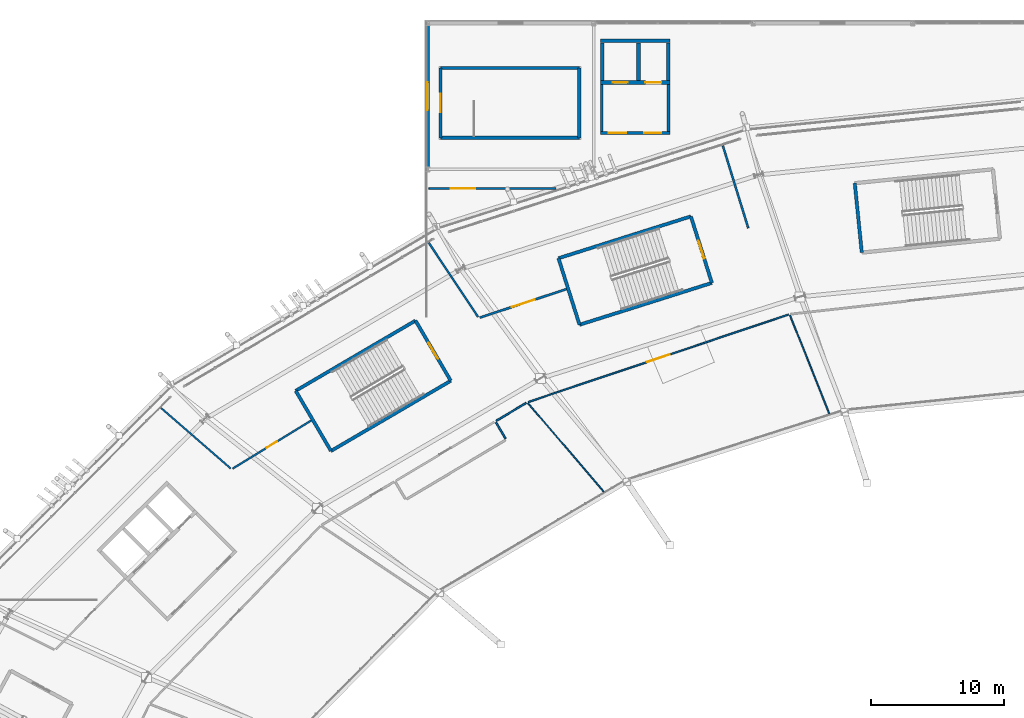
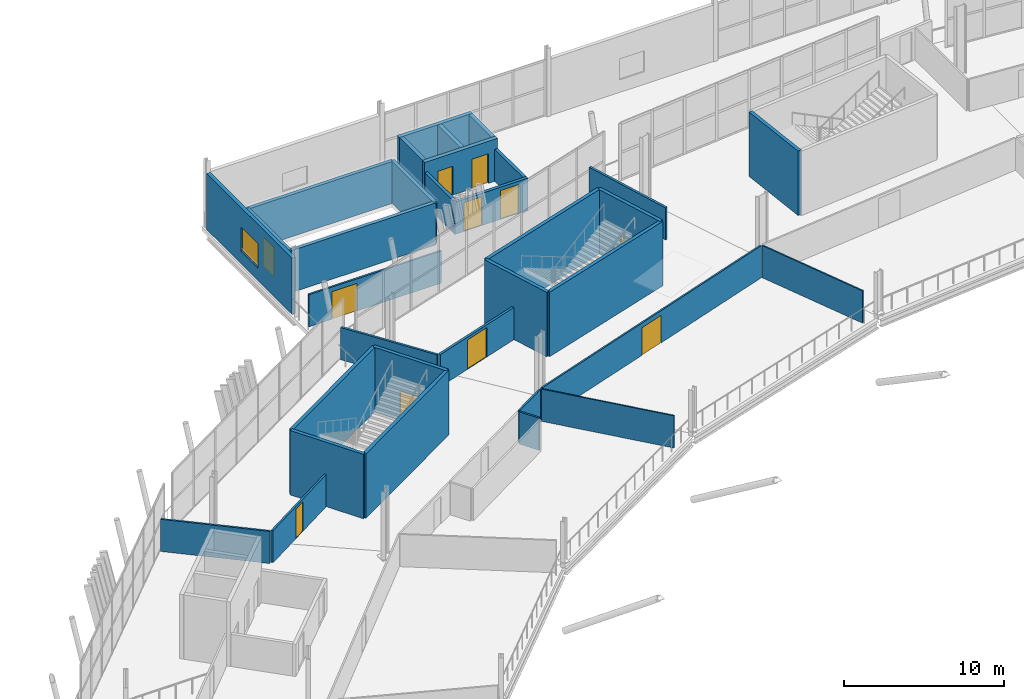
# One storey, part 125 of 168: 33 walls, 11 doors, 1 window, 12 openings.
"""IFC4 building model written with IfcOpenShell, lengths in metres."""

from ifc_helpers import new_model, si_unit, direction, frame, frame_2d, origin, place, context, subcontext, project, spatial, rectangle, extrude, material, layer, layer_set, type_object, element, fill, save


model = new_model("IFC4")

# Units and contexts
model_context = context("Model", 3, precision=1e-05, world=origin(), true_north=direction((0.0, 1.0)))
body_context = subcontext(model_context, "Body", "Model", "MODEL_VIEW")
ifc_project = project(units=[si_unit("LENGTHUNIT", "METRE"), si_unit("AREAUNIT", "SQUARE_METRE"), si_unit("VOLUMEUNIT", "CUBIC_METRE"), si_unit("PLANEANGLEUNIT", "RADIAN"), si_unit("MASSUNIT", "GRAM", prefix="KILO")], contexts=[model_context])

# Site, building, storey
site_placement = place(None, origin())
site = spatial("IfcSite", under=ifc_project, at=site_placement, CompositionType="ELEMENT")
building_placement = place(site_placement, origin())
building = spatial("IfcBuilding", under=site, at=building_placement, Name="Zlatoyarsky Gate Stadium", CompositionType="ELEMENT")
storey_placement = place(building_placement, frame((0.0, 0.0, 15.60009765625)))
storey = spatial("IfcBuildingStorey", under=building, at=storey_placement, Name="L03", CompositionType="ELEMENT", Elevation=15.60009765625)

# Wall, opening, door
ifc_material_1 = material(Name="Double-stud acoustic gypsum partition", Category="gypsum")
ifc_layer_1 = layer(ifc_material_1, 0.169921875)
ifc_layer_set_1 = layer_set([ifc_layer_1], Name="Double-stud acoustic gypsum partition")
wall_type_1 = type_object("IfcWallType", Name="ACOUSTIC BROADCAST STUDIO WALL 170", PredefinedType="PARTITIONING", material=ifc_layer_set_1)
wall_1_placement = place(storey_placement, frame((72.452392578125, 139.982666015625, 0.0), z_axis=(0.0, 0.0, 1.0), x_axis=(-0.950075440612, -0.312020283229, 0.0)))
wall_1 = element("IfcWall", 1, at=wall_1_placement, inside=storey, type_object=wall_type_1, Name="L03 interior partition PRT-L03-OCC-07-1", PredefinedType="PARTITIONING", context=body_context, shape_type="SweptSolid", body=[
    extrude(rectangle(XDim=6.86376953125, YDim=0.169921875, at=frame_2d((3.431884765625, 0.0))), origin(), (0.0, 0.0, 1.0), 2.449951171875),
])
opening_1_placement = place(wall_1_placement, frame((2.521728515625, 0.0, 0.0)))
opening_1 = element("IfcOpeningElement", 2, at=opening_1_placement, cuts=wall_1, Name="Opening D-L03-460", PredefinedType="OPENING", context=body_context, shape_type="SweptSolid", body=[
    extrude(rectangle(XDim=1.820068359375, YDim=2.239990234375, at=frame_2d((0.91015625, 1.1201171875))), frame((0.0, 0.094970703125, 0.0), z_axis=(0.0, -1.0, 0.0), x_axis=(1.0, 0.0, 0.0)), (0.0, 0.0, 1.0), 0.18994140625),
])
ifc_material_2 = material(Name="Powder-coated steel fire door", Category="steel")
door_type_1 = type_object("IfcDoorType", Name="ACOUSTIC INTERIOR DOOR 1820X2240", OperationType="NOTDEFINED", PredefinedType="DOOR", material=ifc_material_2)
door_1_placement = place(opening_1_placement, origin())
door_1 = element("IfcDoor", 3, at=door_1_placement, inside=storey, type_object=door_type_1, Name="L03 room door D-L03-460", OperationType="SINGLE_SWING_RIGHT", OverallHeight=2.239990234375, OverallWidth=1.820068359375, PredefinedType="DOOR", context=body_context, shape_type="SweptSolid", body=[
    extrude(rectangle(XDim=1.820068359375, YDim=2.239990234375, at=frame_2d((0.91015625, 1.1201171875))), frame((0.0, 0.02490234375, 0.0), z_axis=(0.0, -1.0, 0.0), x_axis=(1.0, 0.0, 0.0)), (0.0, 0.0, 1.0), 0.050048828125),
])
fill(opening_1, door_1)

ifc_material_3 = material(Name="Anodised aluminium acoustic operable wall", Category="aluminium")
ifc_layer_2 = layer(ifc_material_3, 0.114990234375)
ifc_layer_set_2 = layer_set([ifc_layer_2], Name="Anodised aluminium acoustic operable wall")
wall_type_2 = type_object("IfcWallType", Name="ACOUSTIC OPERABLE SUITE WALL 115", PredefinedType="MOVABLE", material=ifc_layer_set_2)
wall_2_placement = place(storey_placement, frame((89.16845703125, 138.06689453125, 0.0), z_axis=(0.0, 0.0, 1.0), x_axis=(-0.948002856897, -0.318261815671, 0.0)))
wall_2 = element("IfcWall", 4, at=wall_2_placement, inside=storey, type_object=wall_type_2, Name="L03 interior partition PRT-L03-ICC-07", PredefinedType="MOVABLE", context=body_context, shape_type="SweptSolid", body=[
    extrude(rectangle(XDim=20.6611328125, YDim=0.114990234375, at=frame_2d((10.33056640625, 0.0))), origin(), (0.0, 0.0, 1.0), 2.449951171875),
])
opening_2_placement = place(wall_2_placement, frame((9.420654296875, 0.0, 0.0)))
opening_2 = element("IfcOpeningElement", 5, at=opening_2_placement, cuts=wall_2, Name="Opening D-L03-408", PredefinedType="OPENING", context=body_context, shape_type="SweptSolid", body=[
    extrude(rectangle(XDim=1.820068359375, YDim=2.10009765625, at=frame_2d((0.91015625, 1.050048828125))), frame((0.0, 0.0673828125, 0.0), z_axis=(0.0, -1.0, 0.0), x_axis=(1.0, 0.0, 0.0)), (0.0, 0.0, 1.0), 0.135009765625),
])
ifc_material_4 = material(Name="Solid-core oak veneer acoustic door", Category="wood")
door_type_2 = type_object("IfcDoorType", Name="ACOUSTIC INTERIOR DOOR 1820X2100", OperationType="NOTDEFINED", PredefinedType="DOOR", material=ifc_material_4)
door_2_placement = place(opening_2_placement, origin())
door_2 = element("IfcDoor", 6, at=door_2_placement, inside=storey, type_object=door_type_2, Name="L03 room door D-L03-408", OperationType="SINGLE_SWING_LEFT", OverallHeight=2.10009765625, OverallWidth=1.820068359375, PredefinedType="DOOR", context=body_context, shape_type="SweptSolid", body=[
    extrude(rectangle(XDim=1.820068359375, YDim=2.10009765625, at=frame_2d((0.91015625, 1.050048828125))), frame((0.0, 0.02490234375, 0.0), z_axis=(0.0, -1.0, 0.0), x_axis=(1.0, 0.0, 0.0)), (0.0, 0.0, 1.0), 0.050048828125),
])
fill(opening_2, door_2)

ifc_material_5 = material(Name="Moisture-resistant masonry partition", Category="masonry")
ifc_layer_3 = layer(ifc_material_5, 0.139892578125)
ifc_layer_set_3 = layer_set([ifc_layer_3], Name="Moisture-resistant masonry partition")
wall_type_3 = type_object("IfcWallType", Name="ATHLETE CHANGING BLOCK PARTITION 140", PredefinedType="PARTITIONING", material=ifc_layer_set_3)
wall_3_placement = place(storey_placement, frame((53.23779296875, 130.091796875, 0.0), z_axis=(0.0, 0.0, 1.0), x_axis=(-0.852817711414, -0.52220872369, 0.0)))
wall_3 = element("IfcWall", 7, at=wall_3_placement, inside=storey, type_object=wall_type_3, Name="L03 interior partition PRT-L03-OCC-08-1", PredefinedType="PARTITIONING", context=body_context, shape_type="SweptSolid", body=[
    extrude(rectangle(XDim=6.935546875, YDim=0.139892578125, at=frame_2d((3.4677734375, 0.0))), origin(), (0.0, 0.0, 1.0), 2.449951171875),
])
opening_3_placement = place(wall_3_placement, frame((3.017822265625, 0.0, 0.0)))
opening_3 = element("IfcOpeningElement", 8, at=opening_3_placement, cuts=wall_3, Name="Opening D-L03-463", PredefinedType="OPENING", context=body_context, shape_type="SweptSolid", body=[
    extrude(rectangle(XDim=0.89990234375, YDim=2.239990234375, at=frame_2d((0.449951171875, 1.1201171875))), frame((0.0, 0.079833984375, 0.0), z_axis=(0.0, -1.0, 0.0), x_axis=(1.0, 0.0, 0.0)), (0.0, 0.0, 1.0), 0.159912109375),
])
door_type_3 = type_object("IfcDoorType", Name="ACOUSTIC INTERIOR DOOR 900X2240", OperationType="NOTDEFINED", PredefinedType="DOOR", material=ifc_material_2)
door_3_placement = place(opening_3_placement, origin())
door_3 = element("IfcDoor", 9, at=door_3_placement, inside=storey, type_object=door_type_3, Name="L03 room door D-L03-463", OperationType="SINGLE_SWING_LEFT", OverallHeight=2.239990234375, OverallWidth=0.89990234375, PredefinedType="DOOR", context=body_context, shape_type="SweptSolid", body=[
    extrude(rectangle(XDim=0.89990234375, YDim=2.239990234375, at=frame_2d((0.449951171875, 1.1201171875))), frame((0.0, 0.02490234375, 0.0), z_axis=(0.0, -1.0, 0.0), x_axis=(1.0, 0.0, 0.0)), (0.0, 0.0, 1.0), 0.050048828125),
])
fill(opening_3, door_3)

# Walls
ifc_material_6 = material(Name="Metal-stud gypsum partition", Category="gypsum")
ifc_layer_4 = layer(ifc_material_6, 0.14990234375)
ifc_layer_set_4 = layer_set([ifc_layer_4], Name="Metal-stud gypsum partition")
wall_type_4 = type_object("IfcWallType", Name="CONCOURSE CORRIDOR PARTITION 150", PredefinedType="PARTITIONING", material=ifc_layer_set_4)
wall_4_placement = place(storey_placement, frame((65.803466796875, 137.885498046875, 0.0), z_axis=(0.0, 0.0, 1.0), x_axis=(-0.553664009512, 0.832740154292, 0.0)))
element("IfcWall", 10, at=wall_4_placement, inside=storey, type_object=wall_type_4, Name="L03 interior partition PRT-L03-ORD-07R", PredefinedType="PARTITIONING", context=body_context, shape_type="SweptSolid", body=[
    extrude(rectangle(XDim=6.690673828125, YDim=0.14990234375, at=frame_2d((3.34521484375, 0.0))), origin(), (0.0, 0.0, 1.0), 2.449951171875),
])
ifc_material_7 = material(Name="Concrete C40/50", Category="concrete")
ifc_layer_5 = layer(ifc_material_7, 0.27001953125)
ifc_layer_set_5 = layer_set([ifc_layer_5], Name="Concrete C40/50")
wall_type_5 = type_object("IfcWallType", Name="CONCRETE LIFT SHAFT SHEAR WALL 270", PredefinedType="SHEAR", material=ifc_layer_set_5)
wall_5_placement = place(storey_placement, frame((80.25, 158.6650390625, 0.0), z_axis=(0.0, 0.0, 1.0), x_axis=(-1.0, 0.0, 0.0)))
element("IfcWall", 11, at=wall_5_placement, inside=storey, type_object=wall_type_5, Name="C5 L03 lift shaft rear wall", PredefinedType="SHEAR", context=body_context, shape_type="SweptSolid", body=[
    extrude(rectangle(XDim=5.25, YDim=0.27001953125, at=frame_2d((2.625, 0.0))), origin(), (0.0, 0.0, 1.0), 3.199951171875),
])
for number, where, z_axis, x_axis, name in (
    (12, (80.114990234375, 158.52001953125, 0.0), (0.0, 0.0, 1.0), (0.0, -1.0, 0.0), "C5 L03 lift shaft left wall"),
    (13, (75.135009765625, 158.52001953125, 0.0), (0.0, 0.0, 1.0), (0.0, -1.0, 0.0), "C5 L03 lift shaft right wall"),
    (14, (77.875, 158.52001953125, 0.0), (0.0, 0.0, 1.0), (0.0, -1.0, 0.0), "C5 L03 lift shaft divider 1"),
):
    element("IfcWall", number, at=place(storey_placement, frame(where, z_axis=z_axis, x_axis=x_axis)), inside=storey, type_object=wall_type_5, Name=name, PredefinedType="SHEAR", context=body_context, shape_type="SweptSolid", body=[
        extrude(rectangle(XDim=2.840087890625, YDim=0.27001953125, at=frame_2d((1.419921875, 0.0))), origin(), (0.0, 0.0, 1.0), 3.199951171875),
    ])

# Wall, openings, doors
wall_6_placement = place(storey_placement, frame((80.25, 155.534912109375, 0.0), z_axis=(0.0, 0.0, 1.0), x_axis=(-1.0, 0.0, 0.0)))
wall_6 = element("IfcWall", 15, at=wall_6_placement, inside=storey, type_object=wall_type_5, Name="C5 L03 lift landing front wall", PredefinedType="SHEAR", context=body_context, shape_type="SweptSolid", body=[
    extrude(rectangle(XDim=5.25, YDim=0.27001953125, at=frame_2d((2.625, 0.0))), origin(), (0.0, 0.0, 1.0), 3.199951171875),
])
opening_4_placement = place(wall_6_placement, frame((0.64990234375, 0.0, 0.0)))
opening_4 = element("IfcOpeningElement", 16, at=opening_4_placement, cuts=wall_6, Name="Opening LD-FL-05-L03", PredefinedType="OPENING", context=body_context, shape_type="SweptSolid", body=[
    extrude(rectangle(XDim=1.199951171875, YDim=2.25, at=frame_2d((0.60009765625, 1.125))), frame((0.0, 0.14501953125, 0.0), z_axis=(0.0, -1.0, 0.0), x_axis=(1.0, 0.0, 0.0)), (0.0, 0.0, 1.0), 0.2900390625),
])
opening_5_placement = place(wall_6_placement, frame((3.199951171875, 0.0, 0.0)))
opening_5 = element("IfcOpeningElement", 17, at=opening_5_placement, cuts=wall_6, Name="Opening LD-LF-09-L03", PredefinedType="OPENING", context=body_context, shape_type="SweptSolid", body=[
    extrude(rectangle(XDim=1.10009765625, YDim=2.199951171875, at=frame_2d((0.550048828125, 1.10009765625))), frame((0.0, 0.14501953125, 0.0), z_axis=(0.0, -1.0, 0.0), x_axis=(1.0, 0.0, 0.0)), (0.0, 0.0, 1.0), 0.2900390625),
])
door_type_4 = type_object("IfcDoorType", Name="STAINLESS LIFT LANDING SLIDING DOOR 1100X2200", OperationType="DOUBLE_DOOR_SLIDING", PredefinedType="DOOR", material=ifc_material_2)
door_4_placement = place(opening_5_placement, origin())
door_4 = element("IfcDoor", 18, at=door_4_placement, inside=storey, type_object=door_type_4, Name="Lift LF-09 L03 sliding landing door", OperationType="DOUBLE_DOOR_SLIDING", OverallHeight=2.199951171875, OverallWidth=1.10009765625, PredefinedType="DOOR", context=body_context, shape_type="SweptSolid", body=[
    extrude(rectangle(XDim=1.10009765625, YDim=2.199951171875, at=frame_2d((0.550048828125, 1.10009765625))), frame((0.0, 0.02490234375, 0.0), z_axis=(0.0, -1.0, 0.0), x_axis=(1.0, 0.0, 0.0)), (0.0, 0.0, 1.0), 0.050048828125),
])
fill(opening_5, door_4)
door_type_5 = type_object("IfcDoorType", Name="STAINLESS LIFT LANDING SLIDING DOOR 1200X2250", OperationType="DOUBLE_DOOR_SLIDING", PredefinedType="DOOR", material=ifc_material_2)
door_5_placement = place(opening_4_placement, origin())
door_5 = element("IfcDoor", 19, at=door_5_placement, inside=storey, type_object=door_type_5, Name="Lift FL-05 L03 sliding landing door", OperationType="DOUBLE_DOOR_SLIDING", OverallHeight=2.25, OverallWidth=1.199951171875, PredefinedType="DOOR", context=body_context, shape_type="SweptSolid", body=[
    extrude(rectangle(XDim=1.199951171875, YDim=2.25, at=frame_2d((0.60009765625, 1.125))), frame((0.0, 0.02490234375, 0.0), z_axis=(0.0, -1.0, 0.0), x_axis=(1.0, 0.0, 0.0)), (0.0, 0.0, 1.0), 0.050048828125),
])
fill(opening_4, door_5)

# Wall
ifc_layer_6 = layer(ifc_material_7, 0.25)
ifc_layer_set_6 = layer_set([ifc_layer_6], Name="Concrete C40/50")
wall_type_6 = type_object("IfcWallType", Name="CONCRETE STAIR CORE SHEAR WALL 250", PredefinedType="SHEAR", material=ifc_layer_set_6)
wall_7_placement = place(storey_placement, frame((94.15576171875, 147.95751953125, 0.0), z_axis=(0.0, 0.0, 1.0), x_axis=(0.100028593886, -0.994984562898, 0.0)))
element("IfcWall", 20, at=wall_7_placement, inside=storey, type_object=wall_type_6, Name="ST-04 L03 stair core far shear wall", PredefinedType="SHEAR", context=body_context, shape_type="SweptSolid", body=[
    extrude(rectangle(XDim=5.25, YDim=0.25, at=frame_2d((2.625, 0.0))), origin(), (0.0, 0.0, 1.0), 4.89990234375),
])

# Wall, opening, door
wall_8_placement = place(storey_placement, frame((63.74658203125, 133.083984375, 0.0), z_axis=(0.0, 0.0, 1.0), x_axis=(-0.505460490551, 0.862849750821, 0.0)))
wall_8 = element("IfcWall", 21, at=wall_8_placement, inside=storey, type_object=wall_type_6, Name="ST-05 L03 stair core entrance shear wall", PredefinedType="SHEAR", context=body_context, shape_type="SweptSolid", body=[
    extrude(rectangle(XDim=5.249755859375, YDim=0.25, at=frame_2d((2.625, 0.0))), origin(), (0.0, 0.0, 1.0), 4.89990234375),
])
opening_6_placement = place(wall_8_placement, frame((1.925048828125, 0.0, 0.0)))
opening_6 = element("IfcOpeningElement", 22, at=opening_6_placement, cuts=wall_8, Name="Opening SD-ST-05-L03", PredefinedType="OPENING", context=body_context, shape_type="SweptSolid", body=[
    extrude(rectangle(XDim=1.39990234375, YDim=2.199951171875, at=frame_2d((0.699951171875, 1.10009765625))), frame((0.0, 0.135009765625, 0.0), z_axis=(0.0, -1.0, 0.0), x_axis=(1.0, 0.0, 0.0)), (0.0, 0.0, 1.0), 0.27001953125),
])
door_type_6 = type_object("IfcDoorType", Name="STAIR CORE FIRE EXIT DOOR 1400X2200", OperationType="NOTDEFINED", PredefinedType="DOOR", material=ifc_material_2)
door_6_placement = place(opening_6_placement, frame((1.39990234375, 0.0, 0.0), z_axis=(0.0, 0.0, 1.0), x_axis=(-1.0, 0.0, 0.0)))
door_6 = element("IfcDoor", 23, at=door_6_placement, inside=storey, type_object=door_type_6, Name="ST-05 L03 stair fire door", OperationType="SINGLE_SWING_LEFT", OverallHeight=2.199951171875, OverallWidth=1.39990234375, PredefinedType="DOOR", context=body_context, shape_type="SweptSolid", body=[
    extrude(rectangle(XDim=1.39990234375, YDim=2.199951171875, at=frame_2d((0.699951171875, 1.10009765625))), frame((0.0, 0.02490234375, 0.0), z_axis=(0.0, -1.0, 0.0), x_axis=(1.0, 0.0, 0.0)), (0.0, 0.0, 1.0), 0.050048828125),
])
fill(opening_6, door_6)

# Walls
wall_9_placement = place(storey_placement, frame((61.093017578125, 137.61376953125, 0.0), z_axis=(0.0, 0.0, 1.0), x_axis=(-0.862854686184, -0.505452065513, 0.0)))
element("IfcWall", 24, at=wall_9_placement, inside=storey, type_object=wall_type_6, Name="ST-05 L03 stair core left shear wall", PredefinedType="SHEAR", context=body_context, shape_type="SweptSolid", body=[
    extrude(rectangle(XDim=10.449951171875, YDim=0.25, at=frame_2d((5.22509765625, 0.0))), origin(), (0.0, 0.0, 1.0), 4.89990234375),
])
wall_10_placement = place(storey_placement, frame((52.076171875, 132.331787109375, 0.0), z_axis=(0.0, 0.0, 1.0), x_axis=(0.505474830399, -0.862841350327, 0.0)))
element("IfcWall", 25, at=wall_10_placement, inside=storey, type_object=wall_type_6, Name="ST-05 L03 stair core far shear wall", PredefinedType="SHEAR", context=body_context, shape_type="SweptSolid", body=[
    extrude(rectangle(XDim=5.250244140625, YDim=0.25, at=frame_2d((2.625, 0.0))), origin(), (0.0, 0.0, 1.0), 4.89990234375),
])
wall_11_placement = place(storey_placement, frame((54.72998046875, 127.8017578125, 0.0), z_axis=(0.0, 0.0, 1.0), x_axis=(0.862838527648, 0.505479648657, 0.0)))
element("IfcWall", 26, at=wall_11_placement, inside=storey, type_object=wall_type_6, Name="ST-05 L03 stair core right shear wall", PredefinedType="SHEAR", context=body_context, shape_type="SweptSolid", body=[
    extrude(rectangle(XDim=10.449951171875, YDim=0.25, at=frame_2d((5.22509765625, 0.0))), origin(), (0.0, 0.0, 1.0), 4.89990234375),
])

# Wall, opening, door
wall_12_placement = place(storey_placement, frame((83.400390625, 140.4521484375, 0.0), z_axis=(0.0, 0.0, 1.0), x_axis=(-0.30152749866, 0.953457480726, 0.0)))
wall_12 = element("IfcWall", 27, at=wall_12_placement, inside=storey, type_object=wall_type_6, Name="ST-14 L03 stair core entrance shear wall", PredefinedType="SHEAR", context=body_context, shape_type="SweptSolid", body=[
    extrude(rectangle(XDim=5.25, YDim=0.25, at=frame_2d((2.625, 0.0))), origin(), (0.0, 0.0, 1.0), 4.89990234375),
])
opening_7_placement = place(wall_12_placement, frame((1.925048828125, 0.0, 0.0)))
opening_7 = element("IfcOpeningElement", 28, at=opening_7_placement, cuts=wall_12, Name="Opening SD-ST-14-L03", PredefinedType="OPENING", context=body_context, shape_type="SweptSolid", body=[
    extrude(rectangle(XDim=1.39990234375, YDim=2.199951171875, at=frame_2d((0.699951171875, 1.10009765625))), frame((0.0, 0.135009765625, 0.0), z_axis=(0.0, -1.0, 0.0), x_axis=(1.0, 0.0, 0.0)), (0.0, 0.0, 1.0), 0.27001953125),
])
door_7_placement = place(opening_7_placement, frame((1.39990234375, 0.0, 0.0), z_axis=(0.0, 0.0, 1.0), x_axis=(-1.0, 0.0, 0.0)))
door_7 = element("IfcDoor", 29, at=door_7_placement, inside=storey, type_object=door_type_6, Name="ST-14 L03 stair fire door", OperationType="SINGLE_SWING_LEFT", OverallHeight=2.199951171875, OverallWidth=1.39990234375, PredefinedType="DOOR", context=body_context, shape_type="SweptSolid", body=[
    extrude(rectangle(XDim=1.39990234375, YDim=2.199951171875, at=frame_2d((0.699951171875, 1.10009765625))), frame((0.0, 0.02490234375, 0.0), z_axis=(0.0, -1.0, 0.0), x_axis=(1.0, 0.0, 0.0)), (0.0, 0.0, 1.0), 0.050048828125),
])
fill(opening_7, door_7)

# Walls
wall_13_placement = place(storey_placement, frame((81.8173828125, 145.457763671875, 0.0), z_axis=(0.0, 0.0, 1.0), x_axis=(-0.953459710305, -0.301520448438, 0.0)))
element("IfcWall", 30, at=wall_13_placement, inside=storey, type_object=wall_type_6, Name="ST-14 L03 stair core left shear wall", PredefinedType="SHEAR", context=body_context, shape_type="SweptSolid", body=[
    extrude(rectangle(XDim=10.449951171875, YDim=0.25, at=frame_2d((5.22509765625, 0.0))), origin(), (0.0, 0.0, 1.0), 4.89990234375),
])
wall_14_placement = place(storey_placement, frame((71.853759765625, 142.306884765625, 0.0), z_axis=(0.0, 0.0, 1.0), x_axis=(0.30152749866, -0.953457480726, 0.0)))
element("IfcWall", 31, at=wall_14_placement, inside=storey, type_object=wall_type_6, Name="ST-14 L03 stair core far shear wall", PredefinedType="SHEAR", context=body_context, shape_type="SweptSolid", body=[
    extrude(rectangle(XDim=5.25, YDim=0.25, at=frame_2d((2.625, 0.0))), origin(), (0.0, 0.0, 1.0), 4.89990234375),
])
wall_15_placement = place(storey_placement, frame((73.436767578125, 137.30126953125, 0.0), z_axis=(0.0, 0.0, 1.0), x_axis=(0.953459710305, 0.301520448438, 0.0)))
element("IfcWall", 32, at=wall_15_placement, inside=storey, type_object=wall_type_6, Name="ST-14 L03 stair core right shear wall", PredefinedType="SHEAR", context=body_context, shape_type="SweptSolid", body=[
    extrude(rectangle(XDim=10.449951171875, YDim=0.25, at=frame_2d((5.22509765625, 0.0))), origin(), (0.0, 0.0, 1.0), 4.89990234375),
])

# Wall, opening, door
wall_16_placement = place(storey_placement, frame((62.97509765625, 156.625, 0.0), z_axis=(0.0, 0.0, 1.0), x_axis=(0.0, -1.0, 0.0)))
wall_16 = element("IfcWall", 33, at=wall_16_placement, inside=storey, type_object=wall_type_6, Name="ST-31 L03 stair core entrance shear wall", PredefinedType="SHEAR", context=body_context, shape_type="SweptSolid", body=[
    extrude(rectangle(XDim=5.25, YDim=0.25, at=frame_2d((2.625, 0.0))), origin(), (0.0, 0.0, 1.0), 3.199951171875),
])
opening_8_placement = place(wall_16_placement, frame((1.925048828125, 0.0, 0.0)))
opening_8 = element("IfcOpeningElement", 34, at=opening_8_placement, cuts=wall_16, Name="Opening SD-ST-31-L03", PredefinedType="OPENING", context=body_context, shape_type="SweptSolid", body=[
    extrude(rectangle(XDim=1.39990234375, YDim=2.199951171875, at=frame_2d((0.699951171875, 1.10009765625))), frame((0.0, 0.135009765625, 0.0), z_axis=(0.0, -1.0, 0.0), x_axis=(1.0, 0.0, 0.0)), (0.0, 0.0, 1.0), 0.27001953125),
])
door_8_placement = place(opening_8_placement, frame((1.39990234375, 0.0, 0.0), z_axis=(0.0, 0.0, 1.0), x_axis=(-1.0, 0.0, 0.0)))
door_8 = element("IfcDoor", 35, at=door_8_placement, inside=storey, type_object=door_type_6, Name="ST-31 L03 stair fire door", OperationType="SINGLE_SWING_LEFT", OverallHeight=2.199951171875, OverallWidth=1.39990234375, PredefinedType="DOOR", context=body_context, shape_type="SweptSolid", body=[
    extrude(rectangle(XDim=1.39990234375, YDim=2.199951171875, at=frame_2d((0.699951171875, 1.10009765625))), frame((0.0, 0.02490234375, 0.0), z_axis=(0.0, -1.0, 0.0), x_axis=(1.0, 0.0, 0.0)), (0.0, 0.0, 1.0), 0.050048828125),
])
fill(opening_8, door_8)

# Walls
wall_17_placement = place(storey_placement, frame((62.97509765625, 151.375, 0.0), z_axis=(0.0, 0.0, 1.0), x_axis=(1.0, 0.0, 0.0)))
element("IfcWall", 36, at=wall_17_placement, inside=storey, type_object=wall_type_6, Name="ST-31 L03 stair core left shear wall", PredefinedType="SHEAR", context=body_context, shape_type="SweptSolid", body=[
    extrude(rectangle(XDim=10.449951171875, YDim=0.25, at=frame_2d((5.22509765625, 0.0))), origin(), (0.0, 0.0, 1.0), 3.199951171875),
])
wall_18_placement = place(storey_placement, frame((73.425048828125, 151.375, 0.0), z_axis=(0.0, 0.0, 1.0), x_axis=(0.0, 1.0, 0.0)))
element("IfcWall", 37, at=wall_18_placement, inside=storey, type_object=wall_type_6, Name="ST-31 L03 stair core far shear wall", PredefinedType="SHEAR", context=body_context, shape_type="SweptSolid", body=[
    extrude(rectangle(XDim=5.25, YDim=0.25, at=frame_2d((2.625, 0.0))), origin(), (0.0, 0.0, 1.0), 3.199951171875),
])
wall_19_placement = place(storey_placement, frame((73.425048828125, 156.625, 0.0), z_axis=(0.0, 0.0, 1.0), x_axis=(-1.0, 0.0, 0.0)))
element("IfcWall", 38, at=wall_19_placement, inside=storey, type_object=wall_type_6, Name="ST-31 L03 stair core right shear wall", PredefinedType="SHEAR", context=body_context, shape_type="SweptSolid", body=[
    extrude(rectangle(XDim=10.449951171875, YDim=0.25, at=frame_2d((5.22509765625, 0.0))), origin(), (0.0, 0.0, 1.0), 3.199951171875),
])
ifc_material_8 = material(Name="Autoclaved aerated concrete masonry EI 120", Category="masonry")
ifc_layer_7 = layer(ifc_material_8, 0.219970703125)
ifc_layer_set_7 = layer_set([ifc_layer_7], Name="Autoclaved aerated concrete masonry EI 120")
wall_type_7 = type_object("IfcWallType", Name="FIREFIGHTING LOBBY RATED WALL 220", PredefinedType="PARTITIONING", material=ifc_layer_set_7)
for number, where, z_axis, x_axis, name in (
    (39, (80.139892578125, 155.3798828125, 0.0), (0.0, 0.0, 1.0), (0.0, -1.0, 0.0), "C5 L03 firefighting lobby left wall"),
    (40, (75.110107421875, 155.3798828125, 0.0), (0.0, 0.0, 1.0), (0.0, -1.0, 0.0), "C5 L03 firefighting lobby right wall"),
):
    element("IfcWall", number, at=place(storey_placement, frame(where, z_axis=z_axis, x_axis=x_axis)), inside=storey, type_object=wall_type_7, Name=name, PredefinedType="PARTITIONING", context=body_context, shape_type="SweptSolid", body=[
        extrude(rectangle(XDim=3.52978515625, YDim=0.219970703125, at=frame_2d((1.764892578125, 0.0))), origin(), (0.0, 0.0, 1.0), 2.449951171875),
    ])

# Wall, openings, doors
wall_20_placement = place(storey_placement, frame((80.25, 151.739990234375, 0.0), z_axis=(0.0, 0.0, 1.0), x_axis=(-1.0, 0.0, 0.0)))
wall_20 = element("IfcWall", 41, at=wall_20_placement, inside=storey, type_object=wall_type_7, Name="C5 L03 firefighting lobby front wall", PredefinedType="PARTITIONING", context=body_context, shape_type="SweptSolid", body=[
    extrude(rectangle(XDim=5.25, YDim=0.219970703125, at=frame_2d((2.625, 0.0))), origin(), (0.0, 0.0, 1.0), 2.449951171875),
])
opening_9_placement = place(wall_20_placement, frame((0.64990234375, 0.0, 0.0)))
opening_9 = element("IfcOpeningElement", 42, at=opening_9_placement, cuts=wall_20, Name="Opening FD-C5-L03-A", PredefinedType="OPENING", context=body_context, shape_type="SweptSolid", body=[
    extrude(rectangle(XDim=1.300048828125, YDim=2.199951171875, at=frame_2d((0.64990234375, 1.10009765625))), frame((0.0, 0.119873046875, 0.0), z_axis=(0.0, -1.0, 0.0), x_axis=(1.0, 0.0, 0.0)), (0.0, 0.0, 1.0), 0.239990234375),
])
opening_10_placement = place(wall_20_placement, frame((3.300048828125, 0.0, 0.0)))
opening_10 = element("IfcOpeningElement", 43, at=opening_10_placement, cuts=wall_20, Name="Opening FD-C5-L03-B", PredefinedType="OPENING", context=body_context, shape_type="SweptSolid", body=[
    extrude(rectangle(XDim=1.300048828125, YDim=2.199951171875, at=frame_2d((0.64990234375, 1.10009765625))), frame((0.0, 0.119873046875, 0.0), z_axis=(0.0, -1.0, 0.0), x_axis=(1.0, 0.0, 0.0)), (0.0, 0.0, 1.0), 0.239990234375),
])
door_type_7 = type_object("IfcDoorType", Name="FIREFIGHTING LOBBY FIRE DOOR 1300X2200", OperationType="NOTDEFINED", PredefinedType="DOOR", material=ifc_material_2)
door_9_placement = place(opening_9_placement, origin())
door_9 = element("IfcDoor", 44, at=door_9_placement, inside=storey, type_object=door_type_7, Name="C5 L03 firefighting lobby fire door FD-C5-L03-A", OperationType="SINGLE_SWING_LEFT", OverallHeight=2.199951171875, OverallWidth=1.300048828125, PredefinedType="DOOR", context=body_context, shape_type="SweptSolid", body=[
    extrude(rectangle(XDim=1.300048828125, YDim=2.199951171875, at=frame_2d((0.64990234375, 1.10009765625))), frame((0.0, 0.02490234375, 0.0), z_axis=(0.0, -1.0, 0.0), x_axis=(1.0, 0.0, 0.0)), (0.0, 0.0, 1.0), 0.050048828125),
])
fill(opening_9, door_9)
door_10_placement = place(opening_10_placement, origin())
door_10 = element("IfcDoor", 45, at=door_10_placement, inside=storey, type_object=door_type_7, Name="C5 L03 firefighting lobby fire door FD-C5-L03-B", OperationType="SINGLE_SWING_RIGHT", OverallHeight=2.199951171875, OverallWidth=1.300048828125, PredefinedType="DOOR", context=body_context, shape_type="SweptSolid", body=[
    extrude(rectangle(XDim=1.300048828125, YDim=2.199951171875, at=frame_2d((0.64990234375, 1.10009765625))), frame((0.0, 0.02490234375, 0.0), z_axis=(0.0, -1.0, 0.0), x_axis=(1.0, 0.0, 0.0)), (0.0, 0.0, 1.0), 0.050048828125),
])
fill(opening_10, door_10)

# Walls
ifc_material_9 = material(Name="Timber-veneered acoustic operable partition", Category="wood")
ifc_layer_8 = layer(ifc_material_9, 0.094970703125)
ifc_layer_set_8 = layer_set([ifc_layer_8], Name="Timber-veneered acoustic operable partition")
wall_type_8 = type_object("IfcWallType", Name="FOLDING BANQUET SALON WALL 95", PredefinedType="MOVABLE", material=ifc_layer_set_8)
wall_21_placement = place(storey_placement, frame((75.263427734375, 124.7431640625, 0.0), z_axis=(0.0, 0.0, 1.0), x_axis=(-0.650903724116, 0.759160287378, 0.0)))
element("IfcWall", 46, at=wall_21_placement, inside=storey, type_object=wall_type_8, Name="L03 interior partition PRT-L03-IRD-08", PredefinedType="MOVABLE", context=body_context, shape_type="SweptSolid", body=[
    extrude(rectangle(XDim=8.768310546875, YDim=0.094970703125, at=frame_2d((4.38427734375, 0.0))), origin(), (0.0, 0.0, 1.0), 2.449951171875),
])
ifc_material_10 = material(Name="Acoustic metal-stud gypsum partition", Category="gypsum")
ifc_layer_9 = layer(ifc_material_10, 0.159912109375)
ifc_layer_set_9 = layer_set([ifc_layer_9], Name="Acoustic metal-stud gypsum partition")
wall_type_9 = type_object("IfcWallType", Name="HOSPITALITY SUITE PARTITION 160", PredefinedType="PARTITIONING", material=ifc_layer_set_9)
wall_22_placement = place(storey_placement, frame((86.140380859375, 144.567138671875, 0.0), z_axis=(0.0, 0.0, 1.0), x_axis=(-0.294774915961, 0.955566716101, 0.0)))
element("IfcWall", 47, at=wall_22_placement, inside=storey, type_object=wall_type_9, Name="L03 interior partition PRT-L03-ORD-07L", PredefinedType="PARTITIONING", context=body_context, shape_type="SweptSolid", body=[
    extrude(rectangle(XDim=6.49755859375, YDim=0.159912109375, at=frame_2d((3.248779296875, 0.0))), origin(), (0.0, 0.0, 1.0), 2.449951171875),
])
ifc_layer_10 = layer(ifc_material_6, 0.10009765625)
ifc_layer_set_10 = layer_set([ifc_layer_10], Name="Metal-stud gypsum partition")
wall_type_10 = type_object("IfcWallType", Name="LIGHT STORAGE PARTITION 100", PredefinedType="PARTITIONING", material=ifc_layer_set_10)
wall_23_placement = place(storey_placement, frame((92.22705078125, 130.613525390625, 0.0), z_axis=(0.0, 0.0, 1.0), x_axis=(-0.369873703132, 0.929082043595, 0.0)))
element("IfcWall", 48, at=wall_23_placement, inside=storey, type_object=wall_type_10, Name="L03 interior partition PRT-L03-IRD-07", PredefinedType="PARTITIONING", context=body_context, shape_type="SweptSolid", body=[
    extrude(rectangle(XDim=7.96630859375, YDim=0.10009765625, at=frame_2d((3.983154296875, 0.0))), origin(), (0.0, 0.0, 1.0), 2.449951171875),
])

# Wall, opening, window
ifc_material_11 = material(Name="Limestone-faced insulated masonry wall", Category="masonry")
ifc_layer_11 = layer(ifc_material_11, 0.260009765625)
ifc_layer_set_11 = layer_set([ifc_layer_11], Name="Limestone-faced insulated masonry wall")
wall_type_11 = type_object("IfcWallType", Name="PORTICO COLONNADE PLINTH WALL 260", PredefinedType="STANDARD", material=ifc_layer_set_11)
wall_24_placement = place(storey_placement, frame((62.0, 149.177001953125, 0.0), z_axis=(0.0, 0.0, 1.0), x_axis=(0.0, 1.0, 0.0)))
wall_24 = element("IfcWall", 49, at=wall_24_placement, inside=storey, type_object=wall_type_11, Name="V2_NORTH L03 W exterior wall", PredefinedType="STANDARD", context=body_context, shape_type="SweptSolid", body=[
    extrude(rectangle(XDim=10.64599609375, YDim=0.260009765625, at=frame_2d((5.322998046875, 0.0))), origin(), (0.0, 0.0, 1.0), 4.27978515625),
])
opening_11_placement = place(wall_24_placement, frame((4.27294921875, 0.0, 0.949951171875)))
opening_11 = element("IfcOpeningElement", 50, at=opening_11_placement, cuts=wall_24, Name="Opening WN-15", PredefinedType="OPENING", context=body_context, shape_type="SweptSolid", body=[
    extrude(rectangle(XDim=2.10009765625, YDim=1.85009765625, at=frame_2d((1.050048828125, 0.925048828125))), frame((0.0, 0.139892578125, 0.0), z_axis=(0.0, -1.0, 0.0), x_axis=(1.0, 0.0, 0.0)), (0.0, 0.0, 1.0), 0.280029296875),
])
ifc_material_12 = material(Name="Triple-glazed thermally broken aluminium window", Category="aluminium")
window_type = type_object("IfcWindowType", Name="TRIPLE GLAZED ALUMINIUM WINDOW 2100X1850", PartitioningType="SINGLE_PANEL", PredefinedType="WINDOW", material=ifc_material_12)
window_placement = place(opening_11_placement, origin())
window = element("IfcWindow", 51, at=window_placement, inside=storey, type_object=window_type, Name="Exterior window WIN-L03-015", OverallHeight=1.85009765625, OverallWidth=2.10009765625, PartitioningType="SINGLE_PANEL", PredefinedType="WINDOW", context=body_context, shape_type="SweptSolid", body=[
    extrude(rectangle(XDim=2.10009765625, YDim=1.85009765625, at=frame_2d((1.050048828125, 0.925048828125))), frame((0.0, 0.030029296875, 0.0), z_axis=(0.0, -1.0, 0.0), x_axis=(1.0, 0.0, 0.0)), (0.0, 0.0, 1.0), 0.06005859375),
])
fill(opening_11, window)

# Walls
ifc_material_13 = material(Name="Moisture-resistant tile-backed partition", Category="gypsum")
ifc_layer_12 = layer(ifc_material_13, 0.1298828125)
ifc_layer_set_12 = layer_set([ifc_layer_12], Name="Moisture-resistant tile-backed partition")
wall_type_12 = type_object("IfcWallType", Name="SANITARY WET ROOM PARTITION 130", PredefinedType="PARTITIONING", material=ifc_layer_set_12)
wall_25_placement = place(storey_placement, frame((67.140869140625, 129.954833984375, 0.0), z_axis=(0.0, 0.0, 1.0), x_axis=(0.513088927833, -0.858335454315, 0.0)))
element("IfcWall", 52, at=wall_25_placement, inside=storey, type_object=wall_type_12, Name="L03 interior partition PRT-L03-WC08-L", PredefinedType="PARTITIONING", context=body_context, shape_type="SweptSolid", body=[
    extrude(rectangle(XDim=1.429931640625, YDim=0.1298828125, at=frame_2d((0.71484375, 0.0))), origin(), (0.0, 0.0, 1.0), 2.449951171875),
])
wall_26_placement = place(storey_placement, frame((69.427978515625, 131.420654296875, 0.0), z_axis=(0.0, 0.0, 1.0), x_axis=(-0.85840077663, -0.512979635737, 0.0)))
element("IfcWall", 53, at=wall_26_placement, inside=storey, type_object=wall_type_12, Name="L03 interior partition PRT-L03-WCL-08", PredefinedType="PARTITIONING", context=body_context, shape_type="SweptSolid", body=[
    extrude(rectangle(XDim=2.6298828125, YDim=0.1298828125, at=frame_2d((1.31494140625, 0.0))), origin(), (0.0, 0.0, 1.0), 2.449951171875),
])
wall_27_placement = place(storey_placement, frame((47.186279296875, 126.481201171875, 0.0), z_axis=(0.0, 0.0, 1.0), x_axis=(-0.755079403812, 0.655633353284, 0.0)))
element("IfcWall", 54, at=wall_27_placement, inside=storey, type_object=wall_type_12, Name="L03 interior partition PRT-L03-ORD-08R", PredefinedType="PARTITIONING", context=body_context, shape_type="SweptSolid", body=[
    extrude(rectangle(XDim=6.940185546875, YDim=0.1298828125, at=frame_2d((3.47021484375, 0.0))), origin(), (0.0, 0.0, 1.0), 2.449951171875),
])

# Wall, opening, door
wall_28_placement = place(storey_placement, frame((62.10498046875, 147.550048828125, 0.0), z_axis=(0.0, 0.0, 1.0), x_axis=(1.0, 0.0, 0.0)))
wall_28 = element("IfcWall", 55, at=wall_28_placement, inside=storey, type_object=wall_type_12, Name="L03 interior partition PRT-L03-V2NC-S1", PredefinedType="PARTITIONING", context=body_context, shape_type="SweptSolid", body=[
    extrude(rectangle(XDim=9.548583984375, YDim=0.1298828125, at=frame_2d((4.7744140625, 0.0))), origin(), (0.0, 0.0, 1.0), 2.449951171875),
])
opening_12_placement = place(wall_28_placement, frame((1.64990234375, 0.0, 0.0)))
opening_12 = element("IfcOpeningElement", 56, at=opening_12_placement, cuts=wall_28, Name="Opening D-L03-494", PredefinedType="OPENING", context=body_context, shape_type="SweptSolid", body=[
    extrude(rectangle(XDim=1.820068359375, YDim=2.10009765625, at=frame_2d((0.91015625, 1.050048828125))), frame((0.0, 0.074951171875, 0.0), z_axis=(0.0, -1.0, 0.0), x_axis=(1.0, 0.0, 0.0)), (0.0, 0.0, 1.0), 0.14990234375),
])
door_11_placement = place(opening_12_placement, origin())
door_11 = element("IfcDoor", 57, at=door_11_placement, inside=storey, type_object=door_type_2, Name="L03 room door D-L03-494", OperationType="SINGLE_SWING_RIGHT", OverallHeight=2.10009765625, OverallWidth=1.820068359375, PredefinedType="DOOR", context=body_context, shape_type="SweptSolid", body=[
    extrude(rectangle(XDim=1.820068359375, YDim=2.10009765625, at=frame_2d((0.91015625, 1.050048828125))), frame((0.0, 0.02490234375, 0.0), z_axis=(0.0, -1.0, 0.0), x_axis=(1.0, 0.0, 0.0)), (0.0, 0.0, 1.0), 0.050048828125),
])
fill(opening_12, door_11)

save(model, "model.ifc")
